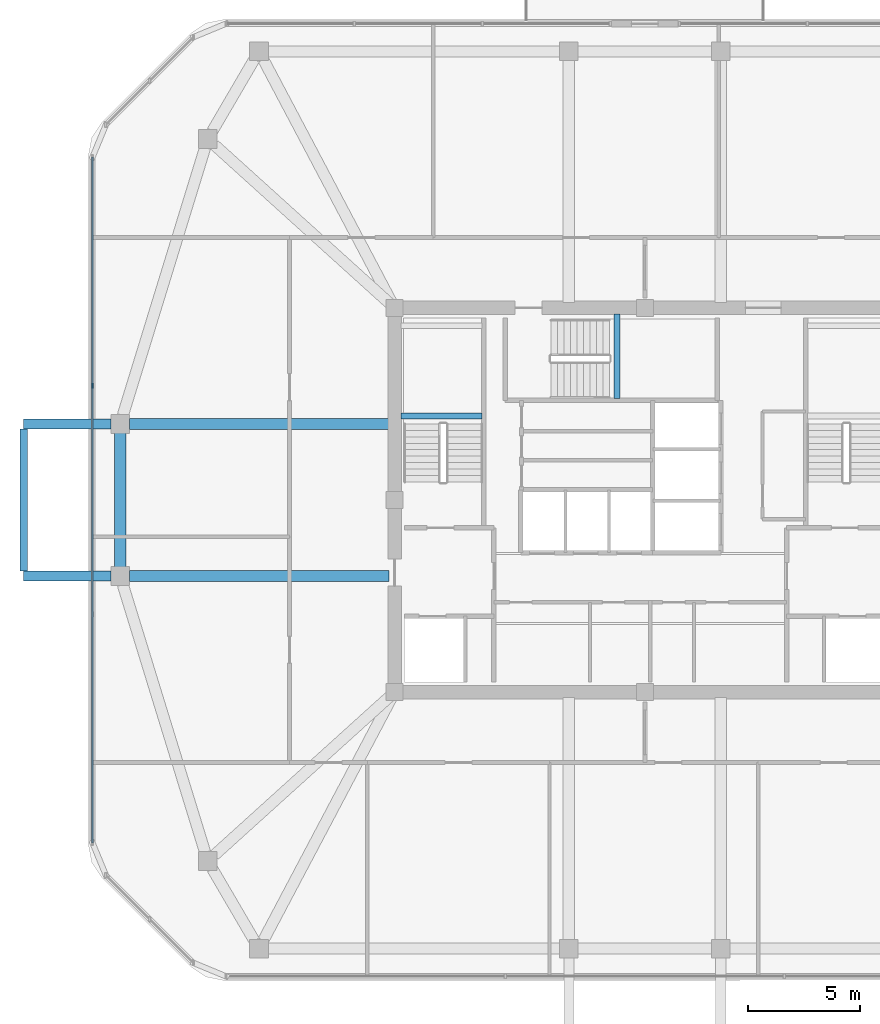
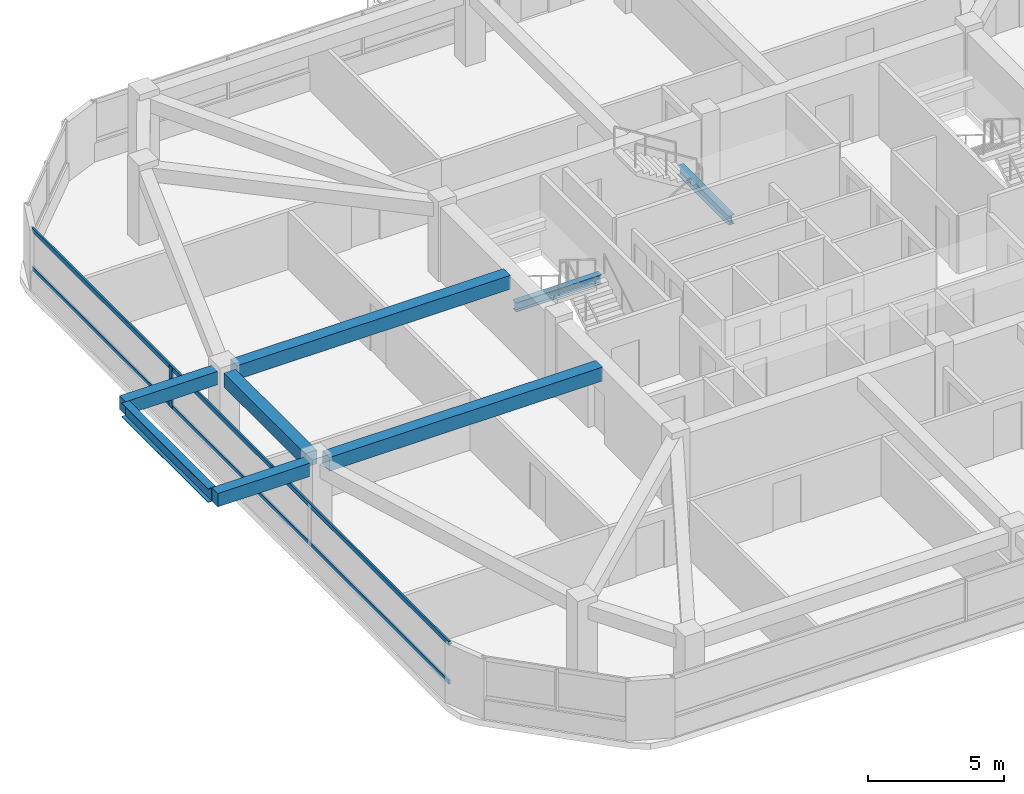
# One storey, part 4 of 14: 8 beams, 3 members, 1 element without a shape of its own.
"""IFC4 building model written with IfcOpenShell, lengths in metres."""

from ifc_helpers import new_model, si_unit, derived_unit, direction, frame, origin, origin_2d, place, context, subcontext, project, spatial, rectangle, i_section, extrude, material, material_profile, profile_set, type_object, element, aggregate, save


model = new_model("IFC4")

# Units and contexts
model_context = context("Model", 3, precision=1e-05, world=origin(), true_north=direction((0.0, 1.0)))
body_context = subcontext(model_context, "Body", "Model", "MODEL_VIEW")
ifc_project = project(units=[si_unit("LENGTHUNIT", "METRE"), si_unit("AREAUNIT", "SQUARE_METRE"), si_unit("VOLUMEUNIT", "CUBIC_METRE"), si_unit("PLANEANGLEUNIT", "RADIAN"), si_unit("MASSUNIT", "GRAM", prefix="KILO"), derived_unit("THERMALTRANSMITTANCEUNIT", [(si_unit("POWERUNIT", "WATT"), 1), (si_unit("LENGTHUNIT", "METRE"), -2), (si_unit("THERMODYNAMICTEMPERATUREUNIT", "KELVIN"), -1)])], contexts=[model_context])

# Site, building, storey
site_placement = place(None, origin())
site = spatial("IfcSite", under=ifc_project, at=site_placement, CompositionType="ELEMENT")
building_placement = place(site_placement, origin())
building = spatial("IfcBuilding", under=site, at=building_placement, Name="Koralith Skygarden Medical Center", CompositionType="ELEMENT")
storey_placement = place(building_placement, frame((0.0, 0.0, 275.219970703125)))
storey = spatial("IfcBuildingStorey", under=building, at=storey_placement, Name="L71", CompositionType="ELEMENT", Elevation=275.219970703125)

# Curtain wall, members
ifc_material_1 = material(Name="Clear Laminated Glass", Category="glass")
curtain_wall_type = type_object("IfcCurtainWallType", Name="CW-6 Zone 5 Upper Clinical Curtain Wall", PredefinedType="NOTDEFINED", material=ifc_material_1)
curtain_wall_placement = place(storey_placement, origin())
curtain_wall = element("IfcCurtainWall", 1, at=curtain_wall_placement, inside=storey, type_object=curtain_wall_type, Name="Curtain Wall CW-L71-W", PredefinedType="NOTDEFINED")
ifc_material_2 = material(Name="Aluminium 6063-T6", Category="aluminium")
ifc_material_profile_1 = material_profile(ifc_material_2, rectangle(XDim=0.0830078125, YDim=0.219970703125, at=origin_2d()), Name="MUL83X220")
ifc_profile_set_1 = profile_set([ifc_material_profile_1], Name="Aluminium 6063-T6")
member_type_1 = type_object("IfcMemberType", Name="CW-6 Extruded Mullion 83x220", PredefinedType="MULLION", material=ifc_profile_set_1)
member_1_placement = place(storey_placement, frame((12.280029296875, 31.014892578125, 0.85009765625), z_axis=(0.0, 0.0, 1.0), x_axis=(1.0, 0.0, 0.0)))
member_1 = element("IfcMember", 2, at=member_1_placement, type_object=member_type_1, Name="CW-L71-W Mullion 2", PredefinedType="MULLION", context=body_context, shape_type="SweptSolid", body=[
    extrude(rectangle(XDim=0.0830078125, YDim=0.219970703125, at=origin_2d()), origin(), (0.0, 0.0, 1.0), 1.83984375),
])
ifc_material_profile_2 = material_profile(ifc_material_2, rectangle(XDim=0.077880859375, YDim=0.197998046875, at=origin_2d()), Name="TRN78X198")
ifc_profile_set_2 = profile_set([ifc_material_profile_2], Name="Aluminium 6063-T6")
member_type_2 = type_object("IfcMemberType", Name="CW-6 Thermal Transom 78x198", PredefinedType="USERDEFINED", material=ifc_profile_set_2)
member_2_placement = place(storey_placement, frame((12.280029296875, 41.2451171875, 0.900146484375), z_axis=(0.0, -1.0, 0.0), x_axis=(1.0, 0.0, 0.0)))
member_2 = element("IfcMember", 3, at=member_2_placement, type_object=member_type_2, Name="CW-L71-W Transom 1", ObjectType="TRANSOM", PredefinedType="USERDEFINED", context=body_context, shape_type="SweptSolid", body=[
    extrude(rectangle(XDim=0.077880859375, YDim=0.197998046875, at=origin_2d()), origin(), (0.0, 0.0, 1.0), 30.690185546875),
])
member_3_placement = place(storey_placement, frame((12.280029296875, 41.2451171875, 2.64013671875), z_axis=(0.0, -1.0, 0.0), x_axis=(1.0, 0.0, 0.0)))
member_3 = element("IfcMember", 4, at=member_3_placement, type_object=member_type_2, Name="CW-L71-W Transom 2", ObjectType="TRANSOM", PredefinedType="USERDEFINED", context=body_context, shape_type="SweptSolid", body=[
    extrude(rectangle(XDim=0.077880859375, YDim=0.197998046875, at=origin_2d()), origin(), (0.0, 0.0, 1.0), 30.690185546875),
])
aggregate(curtain_wall, [member_1, member_2, member_3])

# Beams
ifc_material_3 = material(Name="Steel ASTM A992 Grade 50", Category="steel")
ifc_material_profile_3 = material_profile(ifc_material_3, i_section(OverallWidth=0.326904296875, OverallDepth=0.6220703125, WebThickness=0.015380859375, FlangeThickness=0.0244140625, at=origin_2d()), Name="W24X131")
ifc_profile_set_3 = profile_set([ifc_material_profile_3], Name="Steel ASTM A992 Grade 50")
beam_type_1 = type_object("IfcBeamType", Name="Cantilever Tie Beam W24X131", PredefinedType="BEAM", material=ifc_profile_set_3)
beam_1_placement = place(storey_placement, frame((9.199951171875, 22.719970703125, 3.029052734375), z_axis=(0.0, 1.0, 0.0), x_axis=(-1.0, 0.0, 0.0)))
element("IfcBeam", 5, at=beam_1_placement, inside=storey, type_object=beam_type_1, Name="L72 W Balcony Tip Tie Beam", PredefinedType="BEAM", context=body_context, shape_type="SweptSolid", body=[
    extrude(i_section(OverallWidth=0.326904296875, OverallDepth=0.6220703125, WebThickness=0.015380859375, FlangeThickness=0.0244140625, at=origin_2d()), origin(), (0.0, 0.0, 1.0), 6.360107421875),
])
ifc_material_profile_4 = material_profile(ifc_material_3, i_section(OverallWidth=0.260009765625, OverallDepth=0.4150390625, WebThickness=0.010009765625, FlangeThickness=0.016845703125, at=origin_2d()), Name="W16X67")
ifc_profile_set_4 = profile_set([ifc_material_profile_4], Name="Steel ASTM A992 Grade 50")
beam_type_2 = type_object("IfcBeamType", Name="Clinical Floor Joist W16X67", PredefinedType="JOIST", material=ifc_profile_set_4)
beam_2_placement = place(storey_placement, frame((26.080078125, 29.659912109375, 1.39306640625), z_axis=(1.0, 0.0, 0.0), x_axis=(0.0, 1.0, 0.0)))
element("IfcBeam", 6, at=beam_2_placement, inside=storey, type_object=beam_type_2, Name="L71 Stair ST1 Half-Landing Support Beam 1A", PredefinedType="JOIST", context=body_context, shape_type="SweptSolid", body=[
    extrude(i_section(OverallWidth=0.260009765625, OverallDepth=0.4150390625, WebThickness=0.010009765625, FlangeThickness=0.016845703125, at=origin_2d()), origin(), (0.0, 0.0, 1.0), 3.639892578125),
])
beam_3_placement = place(storey_placement, frame((35.760009765625, 30.43994140625, 1.39306640625), z_axis=(0.0, 1.0, 0.0), x_axis=(-1.0, 0.0, 0.0)))
element("IfcBeam", 7, at=beam_3_placement, inside=storey, type_object=beam_type_2, Name="L71 Stair ST3 Half-Landing Support Beam 1A", PredefinedType="JOIST", context=body_context, shape_type="SweptSolid", body=[
    extrude(i_section(OverallWidth=0.260009765625, OverallDepth=0.4150390625, WebThickness=0.010009765625, FlangeThickness=0.016845703125, at=origin_2d()), origin(), (0.0, 0.0, 1.0), 3.780029296875),
])
ifc_material_4 = material(Name="Concrete C45/55", Category="concrete")
ifc_material_profile_5 = material_profile(ifc_material_4, rectangle(XDim=0.449951171875, YDim=0.60009765625, at=origin_2d()), Name="RCB450X600")
ifc_profile_set_5 = profile_set([ifc_material_profile_5], Name="Concrete C45/55")
beam_type_3 = type_object("IfcBeamType", Name="Planted Balcony Cantilever Beam RCB450X600", PredefinedType="BEAM", material=ifc_profile_set_5)
for number, where, z_axis, x_axis, name in (
    (8, (13.1201171875, 22.5, 3.0400390625), (-1.0, 0.0, 0.0), (0.0, -1.0, 0.0), "L72 W Balcony Cantilever Beam A"),
    (9, (13.1201171875, 29.300048828125, 3.0400390625), (-1.0, 0.0, 0.0), (0.0, -1.0, 0.0), "L72 W Balcony Cantilever Beam B"),
):
    element("IfcBeam", number, at=place(storey_placement, frame(where, z_axis=z_axis, x_axis=x_axis)), inside=storey, type_object=beam_type_3, Name=name, PredefinedType="BEAM", context=body_context, shape_type="SweptSolid", body=[
        extrude(rectangle(XDim=0.449951171875, YDim=0.60009765625, at=origin_2d()), origin(), (0.0, 0.0, 1.0), 3.920166015625),
    ])
ifc_material_profile_6 = material_profile(ifc_material_4, rectangle(XDim=0.5, YDim=0.6201171875, at=origin_2d()), Name="RCB500X620")
ifc_profile_set_6 = profile_set([ifc_material_profile_6], Name="Concrete C45/55")
beam_type_4 = type_object("IfcBeamType", Name="Upper Radial Collector Beam RCB500X620", PredefinedType="BEAM", material=ifc_profile_set_6)
for number, where, z_axis, x_axis, name in (
    (10, (25.550048828125, 22.5, 3.010009765625), (-1.0, 0.0, 0.0), (0.0, -1.0, 0.0), "L71 Radial Collector Beam RB-01"),
    (11, (25.550048828125, 29.300048828125, 3.010009765625), (-1.0, 0.0, 0.0), (0.0, -1.0, 0.0), "L71 Radial Collector Beam RB-16"),
):
    element("IfcBeam", number, at=place(storey_placement, frame(where, z_axis=z_axis, x_axis=x_axis)), inside=storey, type_object=beam_type_4, Name=name, PredefinedType="BEAM", context=body_context, shape_type="SweptSolid", body=[
        extrude(rectangle(XDim=0.5, YDim=0.6201171875, at=origin_2d()), origin(), (0.0, 0.0, 1.0), 11.6201171875),
    ])
ifc_material_profile_7 = material_profile(ifc_material_4, rectangle(XDim=0.5, YDim=0.6201171875, at=origin_2d()), Name="RCB500X620")
ifc_profile_set_7 = profile_set([ifc_material_profile_7], Name="Concrete C45/55")
beam_type_5 = type_object("IfcBeamType", Name="Zone 4-5 Spandrel Beam RCB500X620", PredefinedType="SPANDREL", material=ifc_profile_set_7)
beam_4_placement = place(storey_placement, frame((13.52001953125, 28.889892578125, 3.010009765625), z_axis=(0.0, -1.0, 0.0), x_axis=(1.0, 0.0, 0.0)))
element("IfcBeam", 12, at=beam_4_placement, inside=storey, type_object=beam_type_5, Name="L71 Perimeter Spandrel Beam SP-16", PredefinedType="SPANDREL", context=body_context, shape_type="SweptSolid", body=[
    extrude(rectangle(XDim=0.5, YDim=0.6201171875, at=origin_2d()), origin(), (0.0, 0.0, 1.0), 5.97998046875),
])

save(model, "model.ifc")
